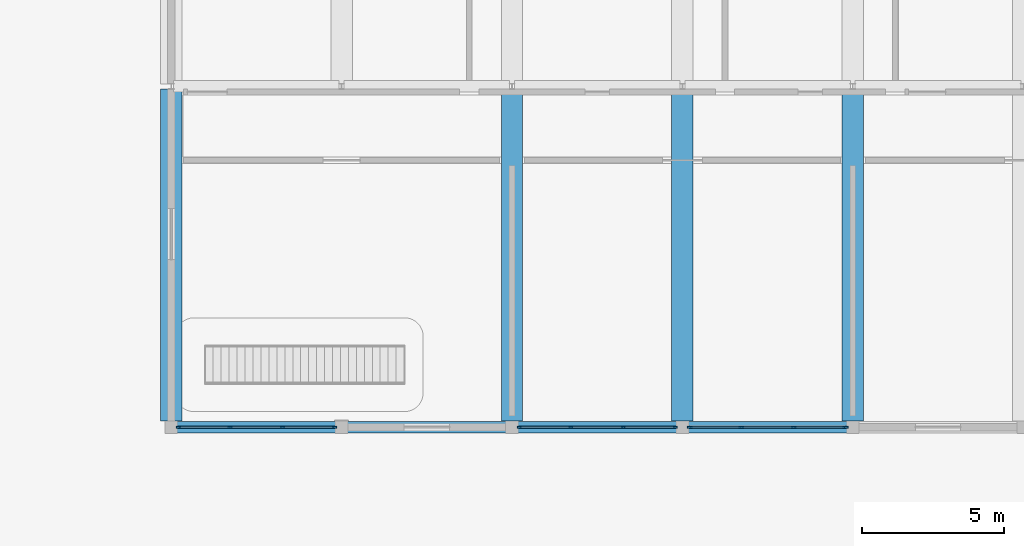
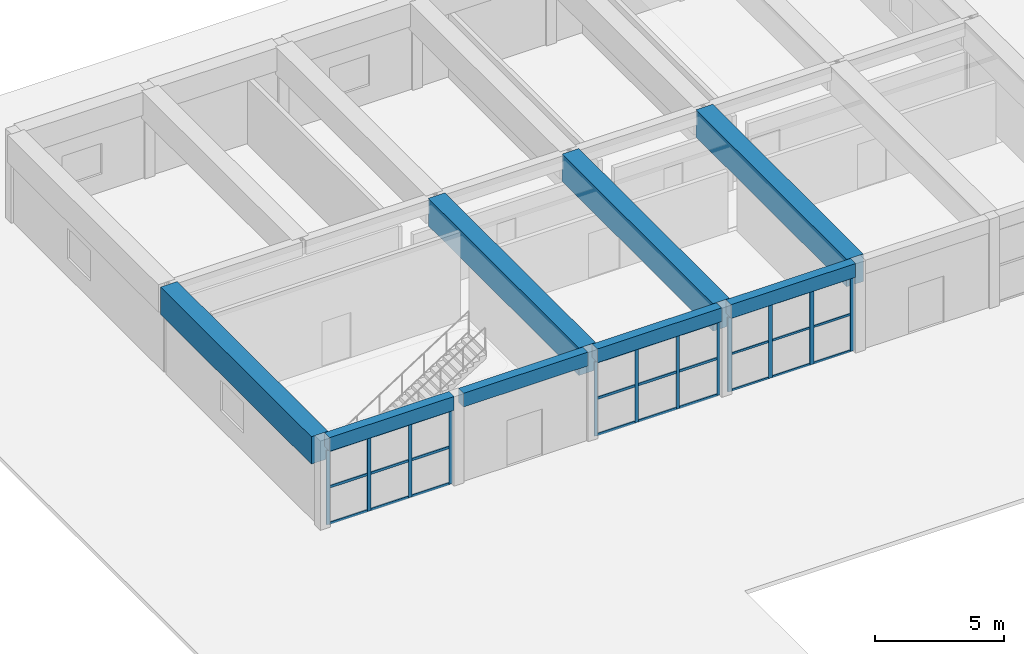
# One storey, part 21 of 76: 39 members, 8 beams, 3 elements without a shape of their own.
"""IFC4 building model written with IfcOpenShell, lengths in metres."""

from ifc_helpers import new_model, si_unit, direction, frame, origin, origin_2d, place, context, subcontext, project, spatial, rectangle, extrude, material, layer, layer_set, material_profile, profile_set, type_object, element, aggregate, save


model = new_model("IFC4")

# Units and contexts
model_context = context("Model", 3, precision=1e-05, world=origin(), true_north=direction((0.0, 1.0)))
body_context = subcontext(model_context, "Body", "Model", "MODEL_VIEW")
ifc_project = project(units=[si_unit("LENGTHUNIT", "METRE"), si_unit("AREAUNIT", "SQUARE_METRE"), si_unit("VOLUMEUNIT", "CUBIC_METRE"), si_unit("PLANEANGLEUNIT", "RADIAN"), si_unit("MASSUNIT", "GRAM", prefix="KILO"), si_unit("POWERUNIT", "WATT"), si_unit("THERMODYNAMICTEMPERATUREUNIT", "KELVIN")], contexts=[model_context])

# Site, building, storey
site_placement = place(None, origin())
site = spatial("IfcSite", under=ifc_project, at=site_placement, CompositionType="ELEMENT")
building_placement = place(site_placement, origin())
building = spatial("IfcBuilding", under=site, at=building_placement, Name="Ruvembo Vaulted Housing Court", CompositionType="ELEMENT")
storey_placement = place(building_placement, origin())
storey = spatial("IfcBuildingStorey", under=building, at=storey_placement, Name="L00", CompositionType="ELEMENT", Elevation=0.0)

# Beams
ifc_material_1 = material(Name="Concrete C35/45", Category="concrete")
ifc_material_profile_1 = material_profile(ifc_material_1, rectangle(XDim=0.39990234375, YDim=0.64990234375, at=origin_2d()), Name="RC 400x650")
ifc_profile_set_1 = profile_set([ifc_material_profile_1], Name="Concrete C35/45")
beam_type_1 = type_object("IfcBeamType", Name="BM-RC-400x650", PredefinedType="BEAM", material=ifc_profile_set_1)
for number, where, z_axis, x_axis, name in (
    (1, (6.2099609375, 84.0, 3.905029296875), (1.0, 0.0, 0.0), (0.0, 1.0, 0.0), "L00 Grid Beam X #870"),
    (2, (12.2099609375, 84.0, 3.905029296875), (1.0, 0.0, 0.0), (0.0, 1.0, 0.0), "L00 Grid Beam X #871"),
    (3, (18.2099609375, 84.0, 3.905029296875), (1.0, 0.0, 0.0), (0.0, 1.0, 0.0), "L00 Grid Beam X #872"),
    (4, (24.2099609375, 84.0, 3.905029296875), (1.0, 0.0, 0.0), (0.0, 1.0, 0.0), "L00 Grid Beam X #873"),
):
    element("IfcBeam", number, at=place(storey_placement, frame(where, z_axis=z_axis, x_axis=x_axis)), inside=storey, type_object=beam_type_1, Name=name, PredefinedType="BEAM", context=body_context, shape_type="SweptSolid", body=[
        extrude(rectangle(XDim=0.39990234375, YDim=0.64990234375, at=origin_2d()), origin(), (0.0, 0.0, 1.0), 5.580078125),
    ])

# Curtain wall, members
ifc_material_2 = material(Name="Anodised Aluminium and Solar-Control Glass", Category="aluminium")
ifc_layer = layer(ifc_material_2, 0.139892578125, Name="Anodised Aluminium and Solar-Control Glass")
ifc_layer_set = layer_set([ifc_layer], Name="Anodised Aluminium and Solar-Control Glass")
curtain_wall_type = type_object("IfcCurtainWallType", Name="CW-NURSERY-G", PredefinedType="NOTDEFINED", material=ifc_layer_set)
curtain_wall_1_placement = place(storey_placement, origin())
curtain_wall_1 = element("IfcCurtainWall", 5, at=curtain_wall_1_placement, inside=storey, type_object=curtain_wall_type, Name="L00 Curtain Wall CW-L00-0132", PredefinedType="NOTDEFINED")
ifc_material_3 = material(Name="Anodised Aluminium 6063-T6", Category="aluminium")
ifc_material_profile_2 = material_profile(ifc_material_3, rectangle(XDim=0.06005859375, YDim=0.139892578125, at=origin_2d()), Name="ALU 60x140")
ifc_profile_set_2 = profile_set([ifc_material_profile_2], Name="Anodised Aluminium 6063-T6")
member_type_1 = type_object("IfcMemberType", Name="CW-MUL-60x140", PredefinedType="MULLION", material=ifc_profile_set_2)
member_1_placement = place(storey_placement, frame((18.2548828125, 84.0, 0.0), z_axis=(0.0, 0.0, 1.0), x_axis=(0.0, 1.0, 0.0)))
member_1 = element("IfcMember", 6, at=member_1_placement, type_object=member_type_1, Name="CW4 mullion 1", PredefinedType="MULLION", context=body_context, shape_type="SweptSolid", body=[
    extrude(rectangle(XDim=0.06005859375, YDim=0.139892578125, at=origin_2d()), origin(), (0.0, 0.0, 1.0), 3.511962890625),
])
member_2_placement = place(storey_placement, frame((20.074951171875, 84.0, 0.0), z_axis=(0.0, 0.0, 1.0), x_axis=(0.0, 1.0, 0.0)))
member_2 = element("IfcMember", 7, at=member_2_placement, type_object=member_type_1, Name="CW4 mullion 2", PredefinedType="MULLION", context=body_context, shape_type="SweptSolid", body=[
    extrude(rectangle(XDim=0.06005859375, YDim=0.139892578125, at=origin_2d()), origin(), (0.0, 0.0, 1.0), 3.511962890625),
])
member_3_placement = place(storey_placement, frame((21.925048828125, 84.0, 0.0), z_axis=(0.0, 0.0, 1.0), x_axis=(0.0, 1.0, 0.0)))
member_3 = element("IfcMember", 8, at=member_3_placement, type_object=member_type_1, Name="CW4 mullion 3", PredefinedType="MULLION", context=body_context, shape_type="SweptSolid", body=[
    extrude(rectangle(XDim=0.06005859375, YDim=0.139892578125, at=origin_2d()), origin(), (0.0, 0.0, 1.0), 3.511962890625),
])
member_4_placement = place(storey_placement, frame((23.7451171875, 84.0, 0.0), z_axis=(0.0, 0.0, 1.0), x_axis=(0.0, 1.0, 0.0)))
member_4 = element("IfcMember", 9, at=member_4_placement, type_object=member_type_1, Name="CW4 mullion 4", PredefinedType="MULLION", context=body_context, shape_type="SweptSolid", body=[
    extrude(rectangle(XDim=0.06005859375, YDim=0.139892578125, at=origin_2d()), origin(), (0.0, 0.0, 1.0), 3.511962890625),
])

curtain_wall_2_placement = place(storey_placement, origin())
curtain_wall_2 = element("IfcCurtainWall", 10, at=curtain_wall_2_placement, inside=storey, type_object=curtain_wall_type, Name="L00 Curtain Wall CW-L00-0134", PredefinedType="NOTDEFINED")
ifc_material_profile_3 = material_profile(ifc_material_3, rectangle(XDim=0.06494140625, YDim=0.179931640625, at=origin_2d()), Name="ALU 65x180")
ifc_profile_set_3 = profile_set([ifc_material_profile_3], Name="Anodised Aluminium 6063-T6")
member_type_2 = type_object("IfcMemberType", Name="CW-MUL-65x180", PredefinedType="MULLION", material=ifc_profile_set_3)
member_5_placement = place(storey_placement, frame((24.257568359375, 84.0, 0.0), z_axis=(0.0, 0.0, 1.0), x_axis=(0.0, 1.0, 0.0)))
member_5 = element("IfcMember", 11, at=member_5_placement, type_object=member_type_2, Name="CW4 mullion 1", PredefinedType="MULLION", context=body_context, shape_type="SweptSolid", body=[
    extrude(rectangle(XDim=0.06494140625, YDim=0.179931640625, at=origin_2d()), origin(), (0.0, 0.0, 1.0), 3.511962890625),
])
member_6_placement = place(storey_placement, frame((26.074951171875, 84.0, 0.0), z_axis=(0.0, 0.0, 1.0), x_axis=(0.0, 1.0, 0.0)))
member_6 = element("IfcMember", 12, at=member_6_placement, type_object=member_type_2, Name="CW4 mullion 2", PredefinedType="MULLION", context=body_context, shape_type="SweptSolid", body=[
    extrude(rectangle(XDim=0.06494140625, YDim=0.179931640625, at=origin_2d()), origin(), (0.0, 0.0, 1.0), 3.511962890625),
])
member_7_placement = place(storey_placement, frame((27.925048828125, 84.0, 0.0), z_axis=(0.0, 0.0, 1.0), x_axis=(0.0, 1.0, 0.0)))
member_7 = element("IfcMember", 13, at=member_7_placement, type_object=member_type_2, Name="CW4 mullion 3", PredefinedType="MULLION", context=body_context, shape_type="SweptSolid", body=[
    extrude(rectangle(XDim=0.06494140625, YDim=0.179931640625, at=origin_2d()), origin(), (0.0, 0.0, 1.0), 3.511962890625),
])
member_8_placement = place(storey_placement, frame((29.742431640625, 84.0, 0.0), z_axis=(0.0, 0.0, 1.0), x_axis=(0.0, 1.0, 0.0)))
member_8 = element("IfcMember", 14, at=member_8_placement, type_object=member_type_2, Name="CW4 mullion 4", PredefinedType="MULLION", context=body_context, shape_type="SweptSolid", body=[
    extrude(rectangle(XDim=0.06494140625, YDim=0.179931640625, at=origin_2d()), origin(), (0.0, 0.0, 1.0), 3.511962890625),
])

curtain_wall_3_placement = place(storey_placement, origin())
curtain_wall_3 = element("IfcCurtainWall", 15, at=curtain_wall_3_placement, inside=storey, type_object=curtain_wall_type, Name="L00 Curtain Wall CW-L00-0129", PredefinedType="NOTDEFINED")
ifc_material_profile_4 = material_profile(ifc_material_3, rectangle(XDim=0.06005859375, YDim=0.159912109375, at=origin_2d()), Name="ALU 60x160")
ifc_profile_set_4 = profile_set([ifc_material_profile_4], Name="Anodised Aluminium 6063-T6")
member_type_3 = type_object("IfcMemberType", Name="CW-MULLION-65x150", PredefinedType="MULLION", material=ifc_profile_set_4)
member_9_placement = place(storey_placement, frame((6.2548828125, 84.0, 0.0), z_axis=(0.0, 0.0, 1.0), x_axis=(0.0, 1.0, 0.0)))
member_9 = element("IfcMember", 16, at=member_9_placement, type_object=member_type_3, Name="CW4 mullion 1", PredefinedType="MULLION", context=body_context, shape_type="SweptSolid", body=[
    extrude(rectangle(XDim=0.06005859375, YDim=0.159912109375, at=origin_2d()), origin(), (0.0, 0.0, 1.0), 3.511962890625),
])
member_10_placement = place(storey_placement, frame((8.074951171875, 84.0, 0.0), z_axis=(0.0, 0.0, 1.0), x_axis=(0.0, 1.0, 0.0)))
member_10 = element("IfcMember", 17, at=member_10_placement, type_object=member_type_3, Name="CW4 mullion 2", PredefinedType="MULLION", context=body_context, shape_type="SweptSolid", body=[
    extrude(rectangle(XDim=0.06005859375, YDim=0.159912109375, at=origin_2d()), origin(), (0.0, 0.0, 1.0), 3.511962890625),
])
member_11_placement = place(storey_placement, frame((9.925048828125, 84.0, 0.0), z_axis=(0.0, 0.0, 1.0), x_axis=(0.0, 1.0, 0.0)))
member_11 = element("IfcMember", 18, at=member_11_placement, type_object=member_type_3, Name="CW4 mullion 3", PredefinedType="MULLION", context=body_context, shape_type="SweptSolid", body=[
    extrude(rectangle(XDim=0.06005859375, YDim=0.159912109375, at=origin_2d()), origin(), (0.0, 0.0, 1.0), 3.511962890625),
])
member_12_placement = place(storey_placement, frame((11.7451171875, 84.0, 0.0), z_axis=(0.0, 0.0, 1.0), x_axis=(0.0, 1.0, 0.0)))
member_12 = element("IfcMember", 19, at=member_12_placement, type_object=member_type_3, Name="CW4 mullion 4", PredefinedType="MULLION", context=body_context, shape_type="SweptSolid", body=[
    extrude(rectangle(XDim=0.06005859375, YDim=0.159912109375, at=origin_2d()), origin(), (0.0, 0.0, 1.0), 3.511962890625),
])
ifc_material_profile_5 = material_profile(ifc_material_3, rectangle(XDim=0.06005859375, YDim=0.1201171875, at=origin_2d()), Name="ALU 60x120")
ifc_profile_set_5 = profile_set([ifc_material_profile_5], Name="Anodised Aluminium 6063-T6")
member_type_4 = type_object("IfcMemberType", Name="CW-TRANSOM-65x120", PredefinedType="USERDEFINED", material=ifc_profile_set_5)
member_13_placement = place(storey_placement, frame((6.284912109375, 84.0, 0.030029296875), z_axis=(1.0, 0.0, 0.0), x_axis=(0.0, 1.0, 0.0)))
member_13 = element("IfcMember", 20, at=member_13_placement, type_object=member_type_4, Name="CW4 transom 1.1", ObjectType="TRANSOM", PredefinedType="USERDEFINED", context=body_context, shape_type="SweptSolid", body=[
    extrude(rectangle(XDim=0.06005859375, YDim=0.1201171875, at=origin_2d()), origin(), (0.0, 0.0, 1.0), 1.760009765625),
])
member_14_placement = place(storey_placement, frame((6.284912109375, 84.0, 1.756103515625), z_axis=(1.0, 0.0, 0.0), x_axis=(0.0, 1.0, 0.0)))
member_14 = element("IfcMember", 21, at=member_14_placement, type_object=member_type_4, Name="CW4 transom 1.2", ObjectType="TRANSOM", PredefinedType="USERDEFINED", context=body_context, shape_type="SweptSolid", body=[
    extrude(rectangle(XDim=0.06005859375, YDim=0.1201171875, at=origin_2d()), origin(), (0.0, 0.0, 1.0), 1.760009765625),
])
member_15_placement = place(storey_placement, frame((6.284912109375, 84.0, 3.48193359375), z_axis=(1.0, 0.0, 0.0), x_axis=(0.0, 1.0, 0.0)))
member_15 = element("IfcMember", 22, at=member_15_placement, type_object=member_type_4, Name="CW4 transom 1.3", ObjectType="TRANSOM", PredefinedType="USERDEFINED", context=body_context, shape_type="SweptSolid", body=[
    extrude(rectangle(XDim=0.06005859375, YDim=0.1201171875, at=origin_2d()), origin(), (0.0, 0.0, 1.0), 1.760009765625),
])
member_16_placement = place(storey_placement, frame((8.10498046875, 84.0, 0.030029296875), z_axis=(1.0, 0.0, 0.0), x_axis=(0.0, 1.0, 0.0)))
member_16 = element("IfcMember", 23, at=member_16_placement, type_object=member_type_4, Name="CW4 transom 2.1", ObjectType="TRANSOM", PredefinedType="USERDEFINED", context=body_context, shape_type="SweptSolid", body=[
    extrude(rectangle(XDim=0.06005859375, YDim=0.1201171875, at=origin_2d()), origin(), (0.0, 0.0, 1.0), 1.7900390625),
])
member_17_placement = place(storey_placement, frame((8.10498046875, 84.0, 1.756103515625), z_axis=(1.0, 0.0, 0.0), x_axis=(0.0, 1.0, 0.0)))
member_17 = element("IfcMember", 24, at=member_17_placement, type_object=member_type_4, Name="CW4 transom 2.2", ObjectType="TRANSOM", PredefinedType="USERDEFINED", context=body_context, shape_type="SweptSolid", body=[
    extrude(rectangle(XDim=0.06005859375, YDim=0.1201171875, at=origin_2d()), origin(), (0.0, 0.0, 1.0), 1.7900390625),
])
member_18_placement = place(storey_placement, frame((8.10498046875, 84.0, 3.48193359375), z_axis=(1.0, 0.0, 0.0), x_axis=(0.0, 1.0, 0.0)))
member_18 = element("IfcMember", 25, at=member_18_placement, type_object=member_type_4, Name="CW4 transom 2.3", ObjectType="TRANSOM", PredefinedType="USERDEFINED", context=body_context, shape_type="SweptSolid", body=[
    extrude(rectangle(XDim=0.06005859375, YDim=0.1201171875, at=origin_2d()), origin(), (0.0, 0.0, 1.0), 1.7900390625),
])
member_19_placement = place(storey_placement, frame((9.955078125, 84.0, 0.030029296875), z_axis=(1.0, 0.0, 0.0), x_axis=(0.0, 1.0, 0.0)))
member_19 = element("IfcMember", 26, at=member_19_placement, type_object=member_type_4, Name="CW4 transom 3.1", ObjectType="TRANSOM", PredefinedType="USERDEFINED", context=body_context, shape_type="SweptSolid", body=[
    extrude(rectangle(XDim=0.06005859375, YDim=0.1201171875, at=origin_2d()), origin(), (0.0, 0.0, 1.0), 1.760009765625),
])
member_20_placement = place(storey_placement, frame((9.955078125, 84.0, 1.756103515625), z_axis=(1.0, 0.0, 0.0), x_axis=(0.0, 1.0, 0.0)))
member_20 = element("IfcMember", 27, at=member_20_placement, type_object=member_type_4, Name="CW4 transom 3.2", ObjectType="TRANSOM", PredefinedType="USERDEFINED", context=body_context, shape_type="SweptSolid", body=[
    extrude(rectangle(XDim=0.06005859375, YDim=0.1201171875, at=origin_2d()), origin(), (0.0, 0.0, 1.0), 1.760009765625),
])
member_21_placement = place(storey_placement, frame((9.955078125, 84.0, 3.48193359375), z_axis=(1.0, 0.0, 0.0), x_axis=(0.0, 1.0, 0.0)))
member_21 = element("IfcMember", 28, at=member_21_placement, type_object=member_type_4, Name="CW4 transom 3.3", ObjectType="TRANSOM", PredefinedType="USERDEFINED", context=body_context, shape_type="SweptSolid", body=[
    extrude(rectangle(XDim=0.06005859375, YDim=0.1201171875, at=origin_2d()), origin(), (0.0, 0.0, 1.0), 1.760009765625),
])
aggregate(curtain_wall_3, [member_9, member_10, member_11, member_12, member_13, member_14, member_15, member_16, member_17, member_18, member_19, member_20, member_21])

# Member
member_22_placement = place(storey_placement, frame((18.284912109375, 84.0, 0.030029296875), z_axis=(1.0, 0.0, 0.0), x_axis=(0.0, 1.0, 0.0)))
member_22 = element("IfcMember", 29, at=member_22_placement, type_object=member_type_4, Name="CW4 transom 1.1", ObjectType="TRANSOM", PredefinedType="USERDEFINED", context=body_context, shape_type="SweptSolid", body=[
    extrude(rectangle(XDim=0.06005859375, YDim=0.1201171875, at=origin_2d()), origin(), (0.0, 0.0, 1.0), 1.760009765625),
])

member_23_placement = place(storey_placement, frame((18.284912109375, 84.0, 1.756103515625), z_axis=(1.0, 0.0, 0.0), x_axis=(0.0, 1.0, 0.0)))
member_23 = element("IfcMember", 30, at=member_23_placement, type_object=member_type_4, Name="CW4 transom 1.2", ObjectType="TRANSOM", PredefinedType="USERDEFINED", context=body_context, shape_type="SweptSolid", body=[
    extrude(rectangle(XDim=0.06005859375, YDim=0.1201171875, at=origin_2d()), origin(), (0.0, 0.0, 1.0), 1.760009765625),
])

member_24_placement = place(storey_placement, frame((18.284912109375, 84.0, 3.48193359375), z_axis=(1.0, 0.0, 0.0), x_axis=(0.0, 1.0, 0.0)))
member_24 = element("IfcMember", 31, at=member_24_placement, type_object=member_type_4, Name="CW4 transom 1.3", ObjectType="TRANSOM", PredefinedType="USERDEFINED", context=body_context, shape_type="SweptSolid", body=[
    extrude(rectangle(XDim=0.06005859375, YDim=0.1201171875, at=origin_2d()), origin(), (0.0, 0.0, 1.0), 1.760009765625),
])

member_25_placement = place(storey_placement, frame((20.10498046875, 84.0, 0.030029296875), z_axis=(1.0, 0.0, 0.0), x_axis=(0.0, 1.0, 0.0)))
member_25 = element("IfcMember", 32, at=member_25_placement, type_object=member_type_4, Name="CW4 transom 2.1", ObjectType="TRANSOM", PredefinedType="USERDEFINED", context=body_context, shape_type="SweptSolid", body=[
    extrude(rectangle(XDim=0.06005859375, YDim=0.1201171875, at=origin_2d()), origin(), (0.0, 0.0, 1.0), 1.7900390625),
])

member_26_placement = place(storey_placement, frame((20.10498046875, 84.0, 1.756103515625), z_axis=(1.0, 0.0, 0.0), x_axis=(0.0, 1.0, 0.0)))
member_26 = element("IfcMember", 33, at=member_26_placement, type_object=member_type_4, Name="CW4 transom 2.2", ObjectType="TRANSOM", PredefinedType="USERDEFINED", context=body_context, shape_type="SweptSolid", body=[
    extrude(rectangle(XDim=0.06005859375, YDim=0.1201171875, at=origin_2d()), origin(), (0.0, 0.0, 1.0), 1.7900390625),
])

member_27_placement = place(storey_placement, frame((20.10498046875, 84.0, 3.48193359375), z_axis=(1.0, 0.0, 0.0), x_axis=(0.0, 1.0, 0.0)))
member_27 = element("IfcMember", 34, at=member_27_placement, type_object=member_type_4, Name="CW4 transom 2.3", ObjectType="TRANSOM", PredefinedType="USERDEFINED", context=body_context, shape_type="SweptSolid", body=[
    extrude(rectangle(XDim=0.06005859375, YDim=0.1201171875, at=origin_2d()), origin(), (0.0, 0.0, 1.0), 1.7900390625),
])

member_28_placement = place(storey_placement, frame((21.955078125, 84.0, 0.030029296875), z_axis=(1.0, 0.0, 0.0), x_axis=(0.0, 1.0, 0.0)))
member_28 = element("IfcMember", 35, at=member_28_placement, type_object=member_type_4, Name="CW4 transom 3.1", ObjectType="TRANSOM", PredefinedType="USERDEFINED", context=body_context, shape_type="SweptSolid", body=[
    extrude(rectangle(XDim=0.06005859375, YDim=0.1201171875, at=origin_2d()), origin(), (0.0, 0.0, 1.0), 1.760009765625),
])

member_29_placement = place(storey_placement, frame((21.955078125, 84.0, 1.756103515625), z_axis=(1.0, 0.0, 0.0), x_axis=(0.0, 1.0, 0.0)))
member_29 = element("IfcMember", 36, at=member_29_placement, type_object=member_type_4, Name="CW4 transom 3.2", ObjectType="TRANSOM", PredefinedType="USERDEFINED", context=body_context, shape_type="SweptSolid", body=[
    extrude(rectangle(XDim=0.06005859375, YDim=0.1201171875, at=origin_2d()), origin(), (0.0, 0.0, 1.0), 1.760009765625),
])

member_30_placement = place(storey_placement, frame((21.955078125, 84.0, 3.48193359375), z_axis=(1.0, 0.0, 0.0), x_axis=(0.0, 1.0, 0.0)))
member_30 = element("IfcMember", 37, at=member_30_placement, type_object=member_type_4, Name="CW4 transom 3.3", ObjectType="TRANSOM", PredefinedType="USERDEFINED", context=body_context, shape_type="SweptSolid", body=[
    extrude(rectangle(XDim=0.06005859375, YDim=0.1201171875, at=origin_2d()), origin(), (0.0, 0.0, 1.0), 1.760009765625),
])

aggregate(curtain_wall_1, [member_1, member_2, member_3, member_4, member_22, member_23, member_24, member_25, member_26, member_27, member_28, member_29, member_30])

ifc_material_profile_6 = material_profile(ifc_material_3, rectangle(XDim=0.06005859375, YDim=0.10009765625, at=origin_2d()), Name="ALU 60x100")
ifc_profile_set_6 = profile_set([ifc_material_profile_6], Name="Anodised Aluminium 6063-T6")
member_type_5 = type_object("IfcMemberType", Name="CW-TRN-60x100", PredefinedType="USERDEFINED", material=ifc_profile_set_6)
member_31_placement = place(storey_placement, frame((24.2900390625, 84.0, 0.030029296875), z_axis=(1.0, 0.0, 0.0), x_axis=(0.0, 1.0, 0.0)))
member_31 = element("IfcMember", 38, at=member_31_placement, type_object=member_type_5, Name="CW4 transom 1.1", ObjectType="TRANSOM", PredefinedType="USERDEFINED", context=body_context, shape_type="SweptSolid", body=[
    extrude(rectangle(XDim=0.06005859375, YDim=0.10009765625, at=origin_2d()), origin(), (0.0, 0.0, 1.0), 1.75244140625),
])

member_32_placement = place(storey_placement, frame((24.2900390625, 84.0, 1.756103515625), z_axis=(1.0, 0.0, 0.0), x_axis=(0.0, 1.0, 0.0)))
member_32 = element("IfcMember", 39, at=member_32_placement, type_object=member_type_5, Name="CW4 transom 1.2", ObjectType="TRANSOM", PredefinedType="USERDEFINED", context=body_context, shape_type="SweptSolid", body=[
    extrude(rectangle(XDim=0.06005859375, YDim=0.10009765625, at=origin_2d()), origin(), (0.0, 0.0, 1.0), 1.75244140625),
])

member_33_placement = place(storey_placement, frame((24.2900390625, 84.0, 3.48193359375), z_axis=(1.0, 0.0, 0.0), x_axis=(0.0, 1.0, 0.0)))
member_33 = element("IfcMember", 40, at=member_33_placement, type_object=member_type_5, Name="CW4 transom 1.3", ObjectType="TRANSOM", PredefinedType="USERDEFINED", context=body_context, shape_type="SweptSolid", body=[
    extrude(rectangle(XDim=0.06005859375, YDim=0.10009765625, at=origin_2d()), origin(), (0.0, 0.0, 1.0), 1.75244140625),
])

member_34_placement = place(storey_placement, frame((26.107421875, 84.0, 0.030029296875), z_axis=(1.0, 0.0, 0.0), x_axis=(0.0, 1.0, 0.0)))
member_34 = element("IfcMember", 41, at=member_34_placement, type_object=member_type_5, Name="CW4 transom 2.1", ObjectType="TRANSOM", PredefinedType="USERDEFINED", context=body_context, shape_type="SweptSolid", body=[
    extrude(rectangle(XDim=0.06005859375, YDim=0.10009765625, at=origin_2d()), origin(), (0.0, 0.0, 1.0), 1.78515625),
])

member_35_placement = place(storey_placement, frame((26.107421875, 84.0, 1.756103515625), z_axis=(1.0, 0.0, 0.0), x_axis=(0.0, 1.0, 0.0)))
member_35 = element("IfcMember", 42, at=member_35_placement, type_object=member_type_5, Name="CW4 transom 2.2", ObjectType="TRANSOM", PredefinedType="USERDEFINED", context=body_context, shape_type="SweptSolid", body=[
    extrude(rectangle(XDim=0.06005859375, YDim=0.10009765625, at=origin_2d()), origin(), (0.0, 0.0, 1.0), 1.78515625),
])

member_36_placement = place(storey_placement, frame((26.107421875, 84.0, 3.48193359375), z_axis=(1.0, 0.0, 0.0), x_axis=(0.0, 1.0, 0.0)))
member_36 = element("IfcMember", 43, at=member_36_placement, type_object=member_type_5, Name="CW4 transom 2.3", ObjectType="TRANSOM", PredefinedType="USERDEFINED", context=body_context, shape_type="SweptSolid", body=[
    extrude(rectangle(XDim=0.06005859375, YDim=0.10009765625, at=origin_2d()), origin(), (0.0, 0.0, 1.0), 1.78515625),
])

member_37_placement = place(storey_placement, frame((27.95751953125, 84.0, 0.030029296875), z_axis=(1.0, 0.0, 0.0), x_axis=(0.0, 1.0, 0.0)))
member_37 = element("IfcMember", 44, at=member_37_placement, type_object=member_type_5, Name="CW4 transom 3.1", ObjectType="TRANSOM", PredefinedType="USERDEFINED", context=body_context, shape_type="SweptSolid", body=[
    extrude(rectangle(XDim=0.06005859375, YDim=0.10009765625, at=origin_2d()), origin(), (0.0, 0.0, 1.0), 1.75244140625),
])

member_38_placement = place(storey_placement, frame((27.95751953125, 84.0, 1.756103515625), z_axis=(1.0, 0.0, 0.0), x_axis=(0.0, 1.0, 0.0)))
member_38 = element("IfcMember", 45, at=member_38_placement, type_object=member_type_5, Name="CW4 transom 3.2", ObjectType="TRANSOM", PredefinedType="USERDEFINED", context=body_context, shape_type="SweptSolid", body=[
    extrude(rectangle(XDim=0.06005859375, YDim=0.10009765625, at=origin_2d()), origin(), (0.0, 0.0, 1.0), 1.75244140625),
])

member_39_placement = place(storey_placement, frame((27.95751953125, 84.0, 3.48193359375), z_axis=(1.0, 0.0, 0.0), x_axis=(0.0, 1.0, 0.0)))
member_39 = element("IfcMember", 46, at=member_39_placement, type_object=member_type_5, Name="CW4 transom 3.3", ObjectType="TRANSOM", PredefinedType="USERDEFINED", context=body_context, shape_type="SweptSolid", body=[
    extrude(rectangle(XDim=0.06005859375, YDim=0.10009765625, at=origin_2d()), origin(), (0.0, 0.0, 1.0), 1.75244140625),
])

aggregate(curtain_wall_2, [member_5, member_6, member_7, member_8, member_31, member_32, member_33, member_34, member_35, member_36, member_37, member_38, member_39])

# Beams
ifc_material_4 = material(Name="Concrete C40/50", Category="concrete")
ifc_material_profile_7 = material_profile(ifc_material_4, rectangle(XDim=0.75, YDim=1.300048828125, at=origin_2d()), Name="RC 750x1300")
ifc_profile_set_7 = profile_set([ifc_material_profile_7], Name="Concrete C40/50")
beam_type_2 = type_object("IfcBeamType", Name="TB-RC-750x1300", PredefinedType="BEAM", material=ifc_profile_set_7)
for number, where, z_axis, x_axis, name in (
    (47, (6.0, 84.2099609375, 3.580078125), (0.0, 1.0, 0.0), (-1.0, 0.0, 0.0), "L00 Grid Beam Y #954"),
    (48, (18.0, 84.2099609375, 3.580078125), (0.0, 1.0, 0.0), (-1.0, 0.0, 0.0), "L00 Grid Beam Y #966"),
    (49, (24.0, 84.2099609375, 3.580078125), (0.0, 1.0, 0.0), (-1.0, 0.0, 0.0), "L00 Grid Beam Y #972"),
    (50, (30.0, 84.2099609375, 3.580078125), (0.0, 1.0, 0.0), (-1.0, 0.0, 0.0), "L00 Grid Beam Y #980"),
):
    element("IfcBeam", number, at=place(storey_placement, frame(where, z_axis=z_axis, x_axis=x_axis)), inside=storey, type_object=beam_type_2, Name=name, PredefinedType="BEAM", context=body_context, shape_type="SweptSolid", body=[
        extrude(rectangle(XDim=0.75, YDim=1.300048828125, at=origin_2d()), origin(), (0.0, 0.0, 1.0), 11.705078125),
    ])

save(model, "model.ifc")
